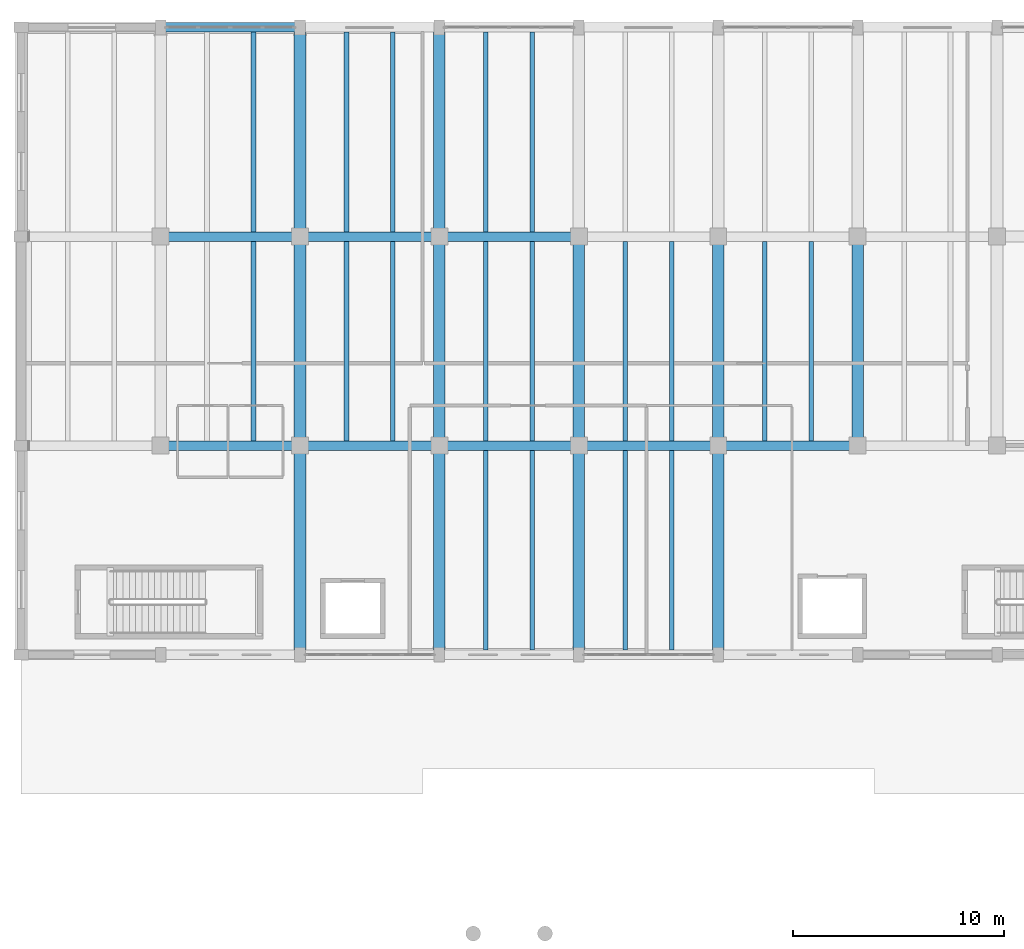
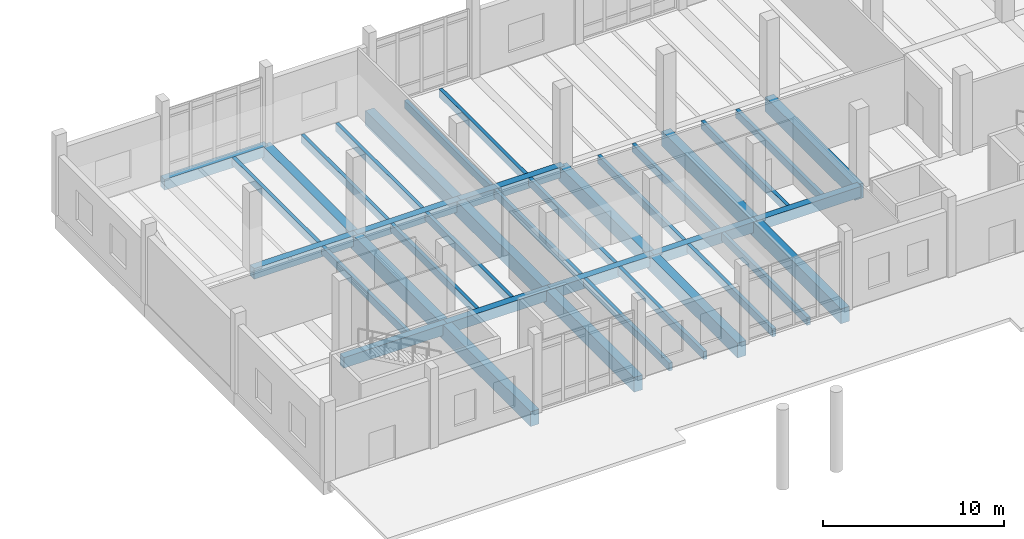
# One storey, part 29 of 72: 38 beams.
"""IFC4 building model written with IfcOpenShell, lengths in metres."""

from ifc_helpers import new_model, si_unit, direction, frame, origin, origin_2d, place, context, subcontext, project, spatial, rectangle, extrude, material, material_profile, profile_set, type_object, element, save


model = new_model("IFC4")

# Units and contexts
model_context = context("Model", 3, precision=1e-05, world=origin(), true_north=direction((0.0, 1.0)))
body_context = subcontext(model_context, "Body", "Model", "MODEL_VIEW")
ifc_project = project(units=[si_unit("LENGTHUNIT", "METRE"), si_unit("AREAUNIT", "SQUARE_METRE"), si_unit("VOLUMEUNIT", "CUBIC_METRE"), si_unit("PLANEANGLEUNIT", "RADIAN"), si_unit("MASSUNIT", "GRAM", prefix="KILO")], contexts=[model_context])

# Site, building, storey
site_placement = place(None, origin())
site = spatial("IfcSite", under=ifc_project, at=site_placement, CompositionType="ELEMENT")
building_placement = place(site_placement, origin())
building = spatial("IfcBuilding", under=site, at=building_placement, Name="Dornvale Research Institute", CompositionType="ELEMENT")
storey_placement = place(building_placement, origin())
storey = spatial("IfcBuildingStorey", under=building, at=storey_placement, Name="L00", CompositionType="ELEMENT", Elevation=0.0)

# Beams
ifc_material_1 = material(Name="Concrete f'c 45 MPa (C35/45)", Category="concrete")
ifc_material_profile_1 = material_profile(ifc_material_1, rectangle(XDim=0.449951171875, YDim=0.715087890625, at=origin_2d()), Name="RC 450x715")
ifc_profile_set_1 = profile_set([ifc_material_profile_1], Name="Concrete f'c 45 MPa (C35/45)")
beam_type_1 = type_object("IfcBeamType", Name="Beam_RC450x715_Lab", PredefinedType="BEAM", material=ifc_profile_set_1)
for number, where, z_axis, x_axis, name in (
    (1, (125.39990234375, 102.300048828125, -0.357421875), (1.0, 0.0, 0.0), (0.0, 1.0, 0.0), "L00 primary girder #78"),
    (2, (132.0, 102.300048828125, -0.357421875), (1.0, 0.0, 0.0), (0.0, 1.0, 0.0), "L00 primary girder #79"),
):
    element("IfcBeam", number, at=place(storey_placement, frame(where, z_axis=z_axis, x_axis=x_axis)), inside=storey, type_object=beam_type_1, Name=name, PredefinedType="BEAM", context=body_context, shape_type="SweptSolid", body=[
        extrude(rectangle(XDim=0.449951171875, YDim=0.715087890625, at=origin_2d()), origin(), (0.0, 0.0, 1.0), 6.60009765625),
    ])
beam_1_placement = place(storey_placement, frame((138.60009765625, 102.300048828125, -0.357421875), z_axis=(1.0, 0.0, 0.0), x_axis=(0.0, 1.0, 0.0)))
element("IfcBeam", 3, at=beam_1_placement, inside=storey, type_object=beam_type_1, Name="L00 primary girder #80", PredefinedType="BEAM", context=body_context, shape_type="SweptSolid", body=[
    extrude(rectangle(XDim=0.449951171875, YDim=0.715087890625, at=origin_2d()), origin(), (0.0, 0.0, 1.0), 6.599853515625),
])
beam_2_placement = place(storey_placement, frame((145.199951171875, 102.300048828125, -0.357421875), z_axis=(1.0, 0.0, 0.0), x_axis=(0.0, 1.0, 0.0)))
element("IfcBeam", 4, at=beam_2_placement, inside=storey, type_object=beam_type_1, Name="L00 primary girder #81", PredefinedType="BEAM", context=body_context, shape_type="SweptSolid", body=[
    extrude(rectangle(XDim=0.449951171875, YDim=0.715087890625, at=origin_2d()), origin(), (0.0, 0.0, 1.0), 6.60009765625),
])
beam_3_placement = place(storey_placement, frame((151.800048828125, 102.300048828125, -0.357421875), z_axis=(1.0, 0.0, 0.0), x_axis=(0.0, 1.0, 0.0)))
element("IfcBeam", 5, at=beam_3_placement, inside=storey, type_object=beam_type_1, Name="L00 primary girder #82", PredefinedType="BEAM", context=body_context, shape_type="SweptSolid", body=[
    extrude(rectangle(XDim=0.449951171875, YDim=0.715087890625, at=origin_2d()), origin(), (0.0, 0.0, 1.0), 6.599853515625),
])
for number, where, z_axis, x_axis, name in (
    (6, (125.39990234375, 112.199951171875, -0.357421875), (1.0, 0.0, 0.0), (0.0, 1.0, 0.0), "L00 primary girder #87"),
    (7, (132.0, 112.199951171875, -0.357421875), (1.0, 0.0, 0.0), (0.0, 1.0, 0.0), "L00 primary girder #88"),
):
    element("IfcBeam", number, at=place(storey_placement, frame(where, z_axis=z_axis, x_axis=x_axis)), inside=storey, type_object=beam_type_1, Name=name, PredefinedType="BEAM", context=body_context, shape_type="SweptSolid", body=[
        extrude(rectangle(XDim=0.449951171875, YDim=0.715087890625, at=origin_2d()), origin(), (0.0, 0.0, 1.0), 6.60009765625),
    ])
beam_4_placement = place(storey_placement, frame((138.60009765625, 112.199951171875, -0.357421875), z_axis=(1.0, 0.0, 0.0), x_axis=(0.0, 1.0, 0.0)))
element("IfcBeam", 8, at=beam_4_placement, inside=storey, type_object=beam_type_1, Name="L00 primary girder #89", PredefinedType="BEAM", context=body_context, shape_type="SweptSolid", body=[
    extrude(rectangle(XDim=0.449951171875, YDim=0.715087890625, at=origin_2d()), origin(), (0.0, 0.0, 1.0), 6.599853515625),
])
beam_5_placement = place(storey_placement, frame((125.39990234375, 122.10009765625, -0.357421875), z_axis=(1.0, 0.0, 0.0), x_axis=(0.0, 1.0, 0.0)))
element("IfcBeam", 9, at=beam_5_placement, inside=storey, type_object=beam_type_1, Name="L00 primary girder #96", PredefinedType="BEAM", context=body_context, shape_type="SweptSolid", body=[
    extrude(rectangle(XDim=0.449951171875, YDim=0.715087890625, at=origin_2d()), origin(), (0.0, 0.0, 1.0), 6.60009765625),
])
ifc_material_2 = material(Name="Concrete f'c 45 MPa (C35/45)", Category="concrete")
ifc_material_profile_2 = material_profile(ifc_material_2, rectangle(XDim=0.550048828125, YDim=1.0, at=origin_2d()), Name="RC 550x1000")
ifc_profile_set_2 = profile_set([ifc_material_profile_2], Name="Concrete f'c 45 MPa (C35/45)")
beam_type_2 = type_object("IfcBeamType", Name="Beam_RC550x1000_Girder", PredefinedType="BEAM", material=ifc_profile_set_2)
beam_6_placement = place(storey_placement, frame((132.0, 92.39990234375, -0.5), z_axis=(0.0, 1.0, 0.0), x_axis=(-1.0, 0.0, 0.0)))
element("IfcBeam", 10, at=beam_6_placement, inside=storey, type_object=beam_type_2, Name="L00 transverse girder #109", PredefinedType="BEAM", context=body_context, shape_type="SweptSolid", body=[
    extrude(rectangle(XDim=0.550048828125, YDim=1.0, at=origin_2d()), origin(), (0.0, 0.0, 1.0), 9.900146484375),
])
beam_7_placement = place(storey_placement, frame((132.0, 102.300048828125, -0.5), z_axis=(0.0, 1.0, 0.0), x_axis=(-1.0, 0.0, 0.0)))
element("IfcBeam", 11, at=beam_7_placement, inside=storey, type_object=beam_type_2, Name="L00 transverse girder #110", PredefinedType="BEAM", context=body_context, shape_type="SweptSolid", body=[
    extrude(rectangle(XDim=0.550048828125, YDim=1.0, at=origin_2d()), origin(), (0.0, 0.0, 1.0), 9.89990234375),
])
for number, where, z_axis, x_axis, name in (
    (12, (132.0, 112.199951171875, -0.5), (0.0, 1.0, 0.0), (-1.0, 0.0, 0.0), "L00 transverse girder #111"),
    (13, (138.60009765625, 92.39990234375, -0.5), (0.0, 1.0, 0.0), (-1.0, 0.0, 0.0), "L00 transverse girder #112"),
):
    element("IfcBeam", number, at=place(storey_placement, frame(where, z_axis=z_axis, x_axis=x_axis)), inside=storey, type_object=beam_type_2, Name=name, PredefinedType="BEAM", context=body_context, shape_type="SweptSolid", body=[
        extrude(rectangle(XDim=0.550048828125, YDim=1.0, at=origin_2d()), origin(), (0.0, 0.0, 1.0), 9.900146484375),
    ])
beam_8_placement = place(storey_placement, frame((138.60009765625, 102.300048828125, -0.5), z_axis=(0.0, 1.0, 0.0), x_axis=(-1.0, 0.0, 0.0)))
element("IfcBeam", 14, at=beam_8_placement, inside=storey, type_object=beam_type_2, Name="L00 transverse girder #113", PredefinedType="BEAM", context=body_context, shape_type="SweptSolid", body=[
    extrude(rectangle(XDim=0.550048828125, YDim=1.0, at=origin_2d()), origin(), (0.0, 0.0, 1.0), 9.89990234375),
])
for number, where, z_axis, x_axis, name in (
    (15, (138.60009765625, 112.199951171875, -0.5), (0.0, 1.0, 0.0), (-1.0, 0.0, 0.0), "L00 transverse girder #114"),
    (16, (145.199951171875, 92.39990234375, -0.5), (0.0, 1.0, 0.0), (-1.0, 0.0, 0.0), "L00 transverse girder #115"),
):
    element("IfcBeam", number, at=place(storey_placement, frame(where, z_axis=z_axis, x_axis=x_axis)), inside=storey, type_object=beam_type_2, Name=name, PredefinedType="BEAM", context=body_context, shape_type="SweptSolid", body=[
        extrude(rectangle(XDim=0.550048828125, YDim=1.0, at=origin_2d()), origin(), (0.0, 0.0, 1.0), 9.900146484375),
    ])
beam_9_placement = place(storey_placement, frame((145.199951171875, 102.300048828125, -0.5), z_axis=(0.0, 1.0, 0.0), x_axis=(-1.0, 0.0, 0.0)))
element("IfcBeam", 17, at=beam_9_placement, inside=storey, type_object=beam_type_2, Name="L00 transverse girder #116", PredefinedType="BEAM", context=body_context, shape_type="SweptSolid", body=[
    extrude(rectangle(XDim=0.550048828125, YDim=1.0, at=origin_2d()), origin(), (0.0, 0.0, 1.0), 9.89990234375),
])
beam_10_placement = place(storey_placement, frame((151.800048828125, 92.39990234375, -0.5), z_axis=(0.0, 1.0, 0.0), x_axis=(-1.0, 0.0, 0.0)))
element("IfcBeam", 18, at=beam_10_placement, inside=storey, type_object=beam_type_2, Name="L00 transverse girder #118", PredefinedType="BEAM", context=body_context, shape_type="SweptSolid", body=[
    extrude(rectangle(XDim=0.550048828125, YDim=1.0, at=origin_2d()), origin(), (0.0, 0.0, 1.0), 9.900146484375),
])
for number, where, z_axis, x_axis, name in (
    (19, (151.800048828125, 102.300048828125, -0.5), (0.0, 1.0, 0.0), (-1.0, 0.0, 0.0), "L00 transverse girder #119"),
    (20, (158.39990234375, 102.300048828125, -0.5), (0.0, 1.0, 0.0), (-1.0, 0.0, 0.0), "L00 transverse girder #121"),
):
    element("IfcBeam", number, at=place(storey_placement, frame(where, z_axis=z_axis, x_axis=x_axis)), inside=storey, type_object=beam_type_2, Name=name, PredefinedType="BEAM", context=body_context, shape_type="SweptSolid", body=[
        extrude(rectangle(XDim=0.550048828125, YDim=1.0, at=origin_2d()), origin(), (0.0, 0.0, 1.0), 9.89990234375),
    ])
ifc_material_3 = material(Name="Concrete f'c 45 MPa (C35/45)", Category="concrete")
ifc_material_profile_3 = material_profile(ifc_material_3, rectangle(XDim=0.219970703125, YDim=0.534912109375, at=origin_2d()), Name="RC 220x535")
ifc_profile_set_3 = profile_set([ifc_material_profile_3], Name="Concrete f'c 45 MPa (C35/45)")
beam_type_3 = type_object("IfcBeamType", Name="Joist_RC220x535_Waffle", PredefinedType="JOIST", material=ifc_profile_set_3)
beam_11_placement = place(storey_placement, frame((129.800048828125, 102.52490234375, -0.267578125), z_axis=(0.0, 1.0, 0.0), x_axis=(-1.0, 0.0, 0.0)))
element("IfcBeam", 21, at=beam_11_placement, inside=storey, type_object=beam_type_3, Name="L00 laboratory waffle joist #43", PredefinedType="JOIST", context=body_context, shape_type="SweptSolid", body=[
    extrude(rectangle(XDim=0.219970703125, YDim=0.534912109375, at=origin_2d()), origin(), (0.0, 0.0, 1.0), 9.4501953125),
])
beam_12_placement = place(storey_placement, frame((129.800048828125, 112.425048828125, -0.267578125), z_axis=(0.0, 1.0, 0.0), x_axis=(-1.0, 0.0, 0.0)))
element("IfcBeam", 22, at=beam_12_placement, inside=storey, type_object=beam_type_3, Name="L00 laboratory waffle joist #45", PredefinedType="JOIST", context=body_context, shape_type="SweptSolid", body=[
    extrude(rectangle(XDim=0.219970703125, YDim=0.534912109375, at=origin_2d()), origin(), (0.0, 0.0, 1.0), 9.449951171875),
])
for number, where, z_axis, x_axis, name in (
    (23, (134.199951171875, 102.52490234375, -0.267578125), (0.0, 1.0, 0.0), (-1.0, 0.0, 0.0), "L00 laboratory waffle joist #46"),
    (24, (136.39990234375, 102.52490234375, -0.267578125), (0.0, 1.0, 0.0), (-1.0, 0.0, 0.0), "L00 laboratory waffle joist #47"),
):
    element("IfcBeam", number, at=place(storey_placement, frame(where, z_axis=z_axis, x_axis=x_axis)), inside=storey, type_object=beam_type_3, Name=name, PredefinedType="JOIST", context=body_context, shape_type="SweptSolid", body=[
        extrude(rectangle(XDim=0.219970703125, YDim=0.534912109375, at=origin_2d()), origin(), (0.0, 0.0, 1.0), 9.4501953125),
    ])
for number, where, z_axis, x_axis, name in (
    (25, (134.199951171875, 112.425048828125, -0.267578125), (0.0, 1.0, 0.0), (-1.0, 0.0, 0.0), "L00 laboratory waffle joist #48"),
    (26, (136.39990234375, 112.425048828125, -0.267578125), (0.0, 1.0, 0.0), (-1.0, 0.0, 0.0), "L00 laboratory waffle joist #49"),
    (27, (140.800048828125, 92.625, -0.267578125), (0.0, 1.0, 0.0), (-1.0, 0.0, 0.0), "L00 laboratory waffle joist #50"),
    (28, (143.0, 92.625, -0.267578125), (0.0, 1.0, 0.0), (-1.0, 0.0, 0.0), "L00 laboratory waffle joist #51"),
):
    element("IfcBeam", number, at=place(storey_placement, frame(where, z_axis=z_axis, x_axis=x_axis)), inside=storey, type_object=beam_type_3, Name=name, PredefinedType="JOIST", context=body_context, shape_type="SweptSolid", body=[
        extrude(rectangle(XDim=0.219970703125, YDim=0.534912109375, at=origin_2d()), origin(), (0.0, 0.0, 1.0), 9.449951171875),
    ])
for number, where, z_axis, x_axis, name in (
    (29, (140.800048828125, 102.52490234375, -0.267578125), (0.0, 1.0, 0.0), (-1.0, 0.0, 0.0), "L00 laboratory waffle joist #52"),
    (30, (143.0, 102.52490234375, -0.267578125), (0.0, 1.0, 0.0), (-1.0, 0.0, 0.0), "L00 laboratory waffle joist #53"),
):
    element("IfcBeam", number, at=place(storey_placement, frame(where, z_axis=z_axis, x_axis=x_axis)), inside=storey, type_object=beam_type_3, Name=name, PredefinedType="JOIST", context=body_context, shape_type="SweptSolid", body=[
        extrude(rectangle(XDim=0.219970703125, YDim=0.534912109375, at=origin_2d()), origin(), (0.0, 0.0, 1.0), 9.4501953125),
    ])
for number, where, z_axis, x_axis, name in (
    (31, (140.800048828125, 112.425048828125, -0.267578125), (0.0, 1.0, 0.0), (-1.0, 0.0, 0.0), "L00 laboratory waffle joist #54"),
    (32, (143.0, 112.425048828125, -0.267578125), (0.0, 1.0, 0.0), (-1.0, 0.0, 0.0), "L00 laboratory waffle joist #55"),
    (33, (147.39990234375, 92.625, -0.267578125), (0.0, 1.0, 0.0), (-1.0, 0.0, 0.0), "L00 laboratory waffle joist #56"),
    (34, (149.60009765625, 92.625, -0.267578125), (0.0, 1.0, 0.0), (-1.0, 0.0, 0.0), "L00 laboratory waffle joist #57"),
):
    element("IfcBeam", number, at=place(storey_placement, frame(where, z_axis=z_axis, x_axis=x_axis)), inside=storey, type_object=beam_type_3, Name=name, PredefinedType="JOIST", context=body_context, shape_type="SweptSolid", body=[
        extrude(rectangle(XDim=0.219970703125, YDim=0.534912109375, at=origin_2d()), origin(), (0.0, 0.0, 1.0), 9.449951171875),
    ])
for number, where, z_axis, x_axis, name in (
    (35, (147.39990234375, 102.52490234375, -0.267578125), (0.0, 1.0, 0.0), (-1.0, 0.0, 0.0), "L00 laboratory waffle joist #58"),
    (36, (149.60009765625, 102.52490234375, -0.267578125), (0.0, 1.0, 0.0), (-1.0, 0.0, 0.0), "L00 laboratory waffle joist #59"),
    (37, (154.0, 102.52490234375, -0.267578125), (0.0, 1.0, 0.0), (-1.0, 0.0, 0.0), "L00 laboratory waffle joist #62"),
    (38, (156.199951171875, 102.52490234375, -0.267578125), (0.0, 1.0, 0.0), (-1.0, 0.0, 0.0), "L00 laboratory waffle joist #63"),
):
    element("IfcBeam", number, at=place(storey_placement, frame(where, z_axis=z_axis, x_axis=x_axis)), inside=storey, type_object=beam_type_3, Name=name, PredefinedType="JOIST", context=body_context, shape_type="SweptSolid", body=[
        extrude(rectangle(XDim=0.219970703125, YDim=0.534912109375, at=origin_2d()), origin(), (0.0, 0.0, 1.0), 9.4501953125),
    ])

save(model, "model.ifc")
